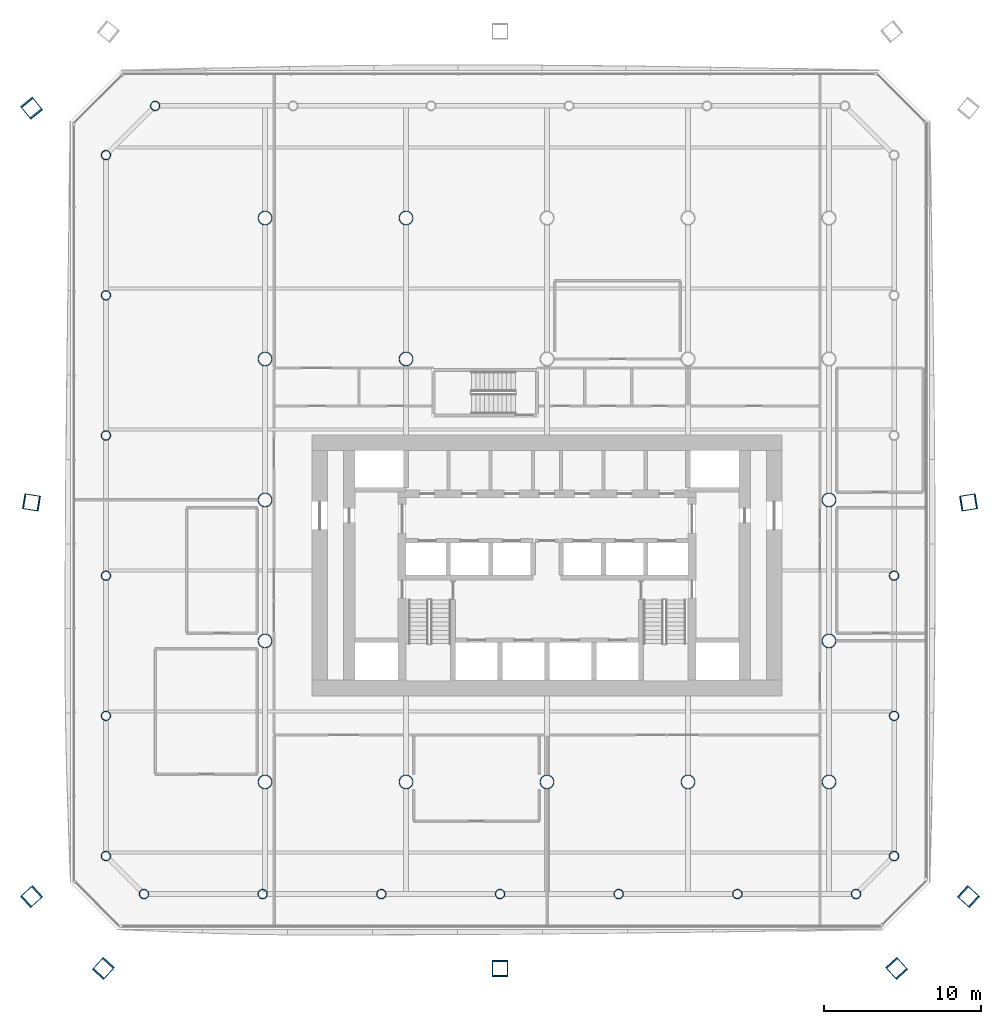
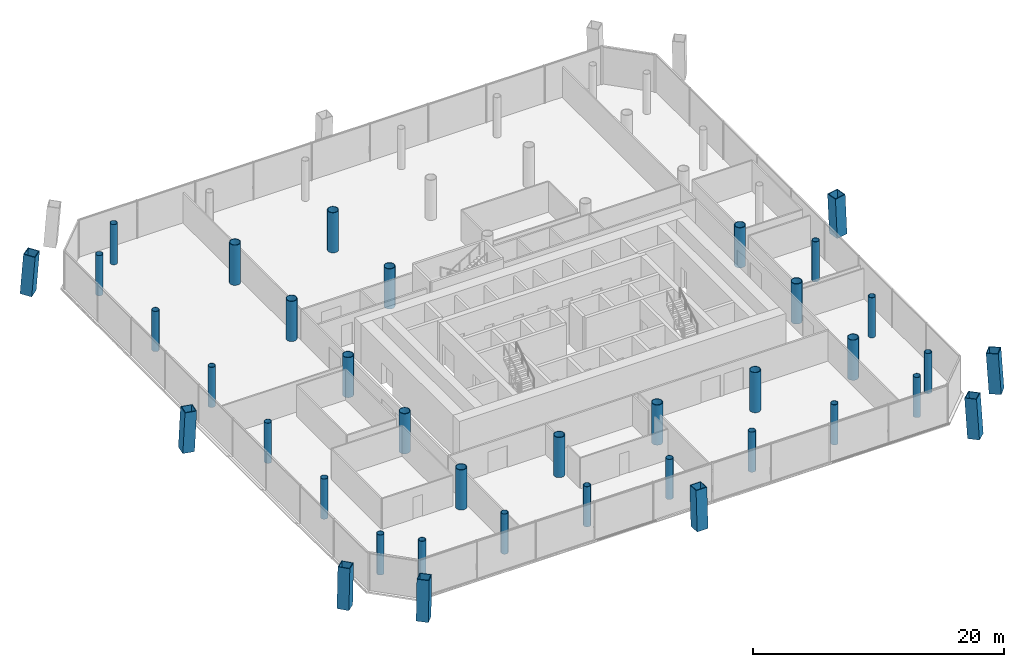
# One storey, part 1 of 22: 38 columns.
"""IFC4 building model written with IfcOpenShell, lengths in metres."""

from ifc_helpers import new_model, si_unit, direction, frame, origin, origin_2d, place, context, subcontext, project, spatial, hollow_rectangle, hollow_circle, extrude, material, material_profile, profile_set, type_object, element, save


model = new_model("IFC4")

# Units and contexts
model_context = context("Model", 3, precision=1e-05, world=origin(), true_north=direction((0.0, 1.0)))
body_context = subcontext(model_context, "Body", "Model", "MODEL_VIEW")
ifc_project = project(units=[si_unit("LENGTHUNIT", "METRE"), si_unit("AREAUNIT", "SQUARE_METRE"), si_unit("VOLUMEUNIT", "CUBIC_METRE"), si_unit("PLANEANGLEUNIT", "RADIAN"), si_unit("MASSUNIT", "GRAM", prefix="KILO")], contexts=[model_context])

# Site, building, storey
site_placement = place(None, origin())
site = spatial("IfcSite", under=ifc_project, at=site_placement, CompositionType="ELEMENT")
building_placement = place(site_placement, origin())
building = spatial("IfcBuilding", under=site, at=building_placement, Name="Tskaro Facet Tower", CompositionType="ELEMENT")
storey_placement = place(building_placement, frame((0.0, 0.0, 30.300048828125)))
storey = spatial("IfcBuildingStorey", under=building, at=storey_placement, Name="L06", CompositionType="ELEMENT", Elevation=30.300048828125)

# Columns
ifc_material_1 = material(Name="Steel S460M", Category="steel")
ifc_material_profile_1 = material_profile(ifc_material_1, hollow_rectangle(XDim=1.0, YDim=1.0, WallThickness=0.06005859375, at=origin_2d()), Name="BOX 1000x1000x60")
ifc_profile_set_1 = profile_set([ifc_material_profile_1], Name="Steel S460M")
column_type_1 = type_object("IfcColumnType", Name="BOX 1000x1000x60 mega column", PredefinedType="COLUMN", material=ifc_profile_set_1)
column_1_placement = place(storey_placement, frame((-28.346923828125, -29.93701171875, 0.0), z_axis=(0.042733391289, 0.046856788695, 0.997987123475), x_axis=(-0.738869281565, 0.673848784787, 0.0)))
element("IfcColumn", 1, at=column_1_placement, inside=storey, type_object=column_type_1, Name="BOX 1000x1000x60 MC01/1", PredefinedType="COLUMN", context=body_context, shape_type="SweptSolid", body=[
    extrude(hollow_rectangle(XDim=1.0, YDim=1.0, WallThickness=0.06005859375, at=origin_2d()), origin(), (0.0, 0.0, 1.0), 3.90771484375),
])
column_2_placement = place(storey_placement, frame((-3.0, -29.93701171875, 0.0), z_axis=(0.0, 0.046899630973, 0.998899606875), x_axis=(-1.0, 0.0, 0.0)))
element("IfcColumn", 2, at=column_2_placement, inside=storey, type_object=column_type_1, Name="BOX 1000x1000x60 MC02/1", PredefinedType="COLUMN", context=body_context, shape_type="SweptSolid", body=[
    extrude(hollow_rectangle(XDim=1.0, YDim=1.0, WallThickness=0.06005859375, at=origin_2d()), origin(), (0.0, 0.0, 1.0), 3.904296875),
])
for number, where, z_axis, x_axis, name in (
    (3, (22.346923828125, -29.93701171875, 0.0), (-0.042733391289, 0.046856788695, 0.997987123475), (-0.738869281565, -0.673848784787, 0.0), "BOX 1000x1000x60 MC03/1"),
    (4, (26.93701171875, -25.346923828125, 0.0), (-0.046856788695, 0.042733391289, 0.997987123475), (-0.673848784787, -0.738869281565, 0.0), "BOX 1000x1000x60 MC04/1"),
):
    element("IfcColumn", number, at=place(storey_placement, frame(where, z_axis=z_axis, x_axis=x_axis)), inside=storey, type_object=column_type_1, Name=name, PredefinedType="COLUMN", context=body_context, shape_type="SweptSolid", body=[
        extrude(hollow_rectangle(XDim=1.0, YDim=1.0, WallThickness=0.06005859375, at=origin_2d()), origin(), (0.0, 0.0, 1.0), 3.90771484375),
    ])
column_3_placement = place(storey_placement, frame((26.93701171875, -0.14990234375, 0.0), z_axis=(-0.046898332503, -0.007441202091, 0.998871951213), x_axis=(0.156706377373, -0.987645235543, 0.0)))
element("IfcColumn", 5, at=column_3_placement, inside=storey, type_object=column_type_1, Name="BOX 1000x1000x60 MC05/1", PredefinedType="COLUMN", context=body_context, shape_type="SweptSolid", body=[
    extrude(hollow_rectangle(XDim=1.0, YDim=1.0, WallThickness=0.06005859375, at=origin_2d()), origin(), (0.0, 0.0, 1.0), 3.904296875),
])
column_4_placement = place(storey_placement, frame((-32.93701171875, 25.048095703125, 0.0), z_axis=(0.046821200064, -0.057808575012, 0.997229133088), x_axis=(0.777088504756, 0.629391337545, 0.0)))
element("IfcColumn", 6, at=column_4_placement, inside=storey, type_object=column_type_1, Name="BOX 1000x1000x60 MC10/1", PredefinedType="COLUMN", context=body_context, shape_type="SweptSolid", body=[
    extrude(hollow_rectangle(XDim=1.0, YDim=1.0, WallThickness=0.06005859375, at=origin_2d()), origin(), (0.0, 0.0, 1.0), 3.91064453125),
])
column_5_placement = place(storey_placement, frame((-32.93701171875, -0.14990234375, 0.0), z_axis=(0.046898332503, -0.007441202091, 0.998871951213), x_axis=(0.156706377373, 0.987645235543, 0.0)))
element("IfcColumn", 7, at=column_5_placement, inside=storey, type_object=column_type_1, Name="BOX 1000x1000x60 MC11/1", PredefinedType="COLUMN", context=body_context, shape_type="SweptSolid", body=[
    extrude(hollow_rectangle(XDim=1.0, YDim=1.0, WallThickness=0.06005859375, at=origin_2d()), origin(), (0.0, 0.0, 1.0), 3.904296875),
])
column_6_placement = place(storey_placement, frame((-32.93701171875, -25.346923828125, 0.0), z_axis=(0.046856788695, 0.042733391289, 0.997987123475), x_axis=(-0.673848784787, 0.738869281565, 0.0)))
element("IfcColumn", 8, at=column_6_placement, inside=storey, type_object=column_type_1, Name="BOX 1000x1000x60 MC12/1", PredefinedType="COLUMN", context=body_context, shape_type="SweptSolid", body=[
    extrude(hollow_rectangle(XDim=1.0, YDim=1.0, WallThickness=0.06005859375, at=origin_2d()), origin(), (0.0, 0.0, 1.0), 3.90771484375),
])
ifc_material_2 = material(Name="Steel S355J2H", Category="steel")
ifc_material_profile_2 = material_profile(ifc_material_2, hollow_circle(Radius=0.304931640625, WallThickness=0.030029296875, at=origin_2d()), Name="CHS 610x30")
ifc_profile_set_2 = profile_set([ifc_material_profile_2], Name="Steel S355J2H")
column_type_2 = type_object("IfcColumnType", Name="CHS 610x30 ring column", PredefinedType="COLUMN", material=ifc_profile_set_2)
for number, where, z_axis, x_axis, name in (
    (9, (-25.72900390625, -25.156982421875, 0.0), (0.0, 0.0, 1.0), (1.0, 0.0, 0.0), "CHS 610x30 RS-1/1"),
    (10, (-18.153076171875, -25.156982421875, 0.0), (0.0, 0.0, 1.0), (1.0, 0.0, 0.0), "CHS 610x30 RS-2/1"),
    (11, (-10.575927734375, -25.156982421875, 0.0), (0.0, 0.0, 1.0), (1.0, 0.0, 0.0), "CHS 610x30 RS-3/1"),
    (12, (-3.0, -25.156982421875, 0.0), (0.0, 0.0, 1.0), (1.0, 0.0, 0.0), "CHS 610x30 RS-4/1"),
    (13, (4.575927734375, -25.156982421875, 0.0), (0.0, 0.0, 1.0), (1.0, 0.0, 0.0), "CHS 610x30 RS-5/1"),
    (14, (12.153076171875, -25.156982421875, 0.0), (0.0, 0.0, 1.0), (1.0, 0.0, 0.0), "CHS 610x30 RS-6/1"),
    (15, (19.72900390625, -25.156982421875, 0.0), (0.0, 0.0, 1.0), (1.0, 0.0, 0.0), "CHS 610x30 RSE-1/1"),
    (16, (22.156982421875, -22.72900390625, 0.0), (0.0, 0.0, 1.0), (1.0, 0.0, 0.0), "CHS 610x30 RE-1/1"),
    (17, (22.156982421875, -13.781005859375, 0.0), (0.0, 0.0, 1.0), (1.0, 0.0, 0.0), "CHS 610x30 RE-2/1"),
    (18, (22.156982421875, -4.8330078125, 0.0), (0.0, 0.0, 1.0), (1.0, 0.0, 0.0), "CHS 610x30 RE-3/1"),
    (19, (-25.011962890625, 25.156982421875, 0.0), (0.0, 0.0, 1.0), (1.0, 0.0, 0.0), "CHS 610x30 RNW-1/1"),
    (20, (-28.156982421875, 22.011962890625, 0.0), (0.0, 0.0, 1.0), (1.0, 0.0, 0.0), "CHS 610x30 RW-1/1"),
    (21, (-28.156982421875, 13.06396484375, 0.0), (0.0, 0.0, 1.0), (1.0, 0.0, 0.0), "CHS 610x30 RW-2/1"),
    (22, (-28.156982421875, 4.115966796875, 0.0), (0.0, 0.0, 1.0), (1.0, 0.0, 0.0), "CHS 610x30 RW-3/1"),
    (23, (-28.156982421875, -4.8330078125, 0.0), (0.0, 0.0, 1.0), (1.0, 0.0, 0.0), "CHS 610x30 RW-4/1"),
    (24, (-28.156982421875, -13.781005859375, 0.0), (0.0, 0.0, 1.0), (1.0, 0.0, 0.0), "CHS 610x30 RW-5/1"),
    (25, (-28.156982421875, -22.72900390625, 0.0), (0.0, 0.0, 1.0), (1.0, 0.0, 0.0), "CHS 610x30 RSW-1/1"),
):
    element("IfcColumn", number, at=place(storey_placement, frame(where, z_axis=z_axis, x_axis=x_axis)), inside=storey, type_object=column_type_2, Name=name, PredefinedType="COLUMN", context=body_context, shape_type="SweptSolid", body=[
        extrude(hollow_circle(Radius=0.304931640625, WallThickness=0.030029296875, at=origin_2d()), origin(), (0.0, 0.0, 1.0), 3.89990234375),
    ])
ifc_material_profile_3 = material_profile(ifc_material_2, hollow_circle(Radius=0.457275390625, WallThickness=0.050048828125, at=origin_2d()), Name="CHS 914.4x50")
ifc_profile_set_3 = profile_set([ifc_material_profile_3], Name="Steel S355J2H")
column_type_3 = type_object("IfcColumnType", Name="CHS 914.4x50 interior column", PredefinedType="COLUMN", material=ifc_profile_set_3)
for number, where, z_axis, x_axis, name in (
    (26, (-18.0, -18.0, 0.0), (0.0, 0.0, 1.0), (1.0, 0.0, 0.0), "CHS 914.4x50 C2B/1"),
    (27, (-18.0, -9.0, 0.0), (0.0, 0.0, 1.0), (1.0, 0.0, 0.0), "CHS 914.4x50 C2C/1"),
    (28, (-18.0, 0.0, 0.0), (0.0, 0.0, 1.0), (1.0, 0.0, 0.0), "CHS 914.4x50 C2D/1"),
    (29, (-18.0, 9.0, 0.0), (0.0, 0.0, 1.0), (1.0, 0.0, 0.0), "CHS 914.4x50 C2E/1"),
    (30, (-18.0, 18.0, 0.0), (0.0, 0.0, 1.0), (1.0, 0.0, 0.0), "CHS 914.4x50 C2F/1"),
    (31, (-9.0, -18.0, 0.0), (0.0, 0.0, 1.0), (1.0, 0.0, 0.0), "CHS 914.4x50 C3B/1"),
    (32, (-9.0, 9.0, 0.0), (0.0, 0.0, 1.0), (1.0, 0.0, 0.0), "CHS 914.4x50 C3E/1"),
    (33, (-9.0, 18.0, 0.0), (0.0, 0.0, 1.0), (1.0, 0.0, 0.0), "CHS 914.4x50 C3F/1"),
    (34, (0.0, -18.0, 0.0), (0.0, 0.0, 1.0), (1.0, 0.0, 0.0), "CHS 914.4x50 C4B/1"),
    (35, (9.0, -18.0, 0.0), (0.0, 0.0, 1.0), (1.0, 0.0, 0.0), "CHS 914.4x50 C5B/1"),
    (36, (18.0, -18.0, 0.0), (0.0, 0.0, 1.0), (1.0, 0.0, 0.0), "CHS 914.4x50 C6B/1"),
    (37, (18.0, -9.0, 0.0), (0.0, 0.0, 1.0), (1.0, 0.0, 0.0), "CHS 914.4x50 C6C/1"),
    (38, (18.0, 0.0, 0.0), (0.0, 0.0, 1.0), (1.0, 0.0, 0.0), "CHS 914.4x50 C6D/1"),
):
    element("IfcColumn", number, at=place(storey_placement, frame(where, z_axis=z_axis, x_axis=x_axis)), inside=storey, type_object=column_type_3, Name=name, PredefinedType="COLUMN", context=body_context, shape_type="SweptSolid", body=[
        extrude(hollow_circle(Radius=0.457275390625, WallThickness=0.050048828125, at=origin_2d()), origin(), (0.0, 0.0, 1.0), 3.89990234375),
    ])

save(model, "model.ifc")
